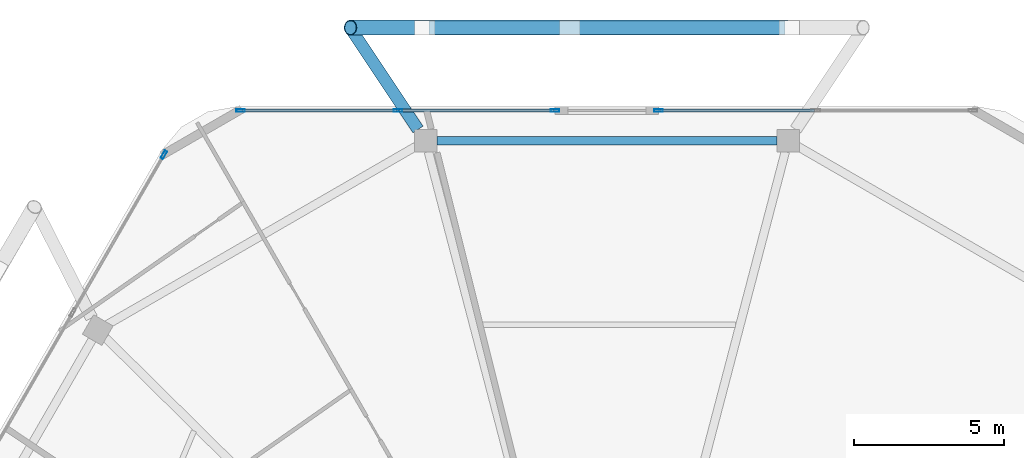
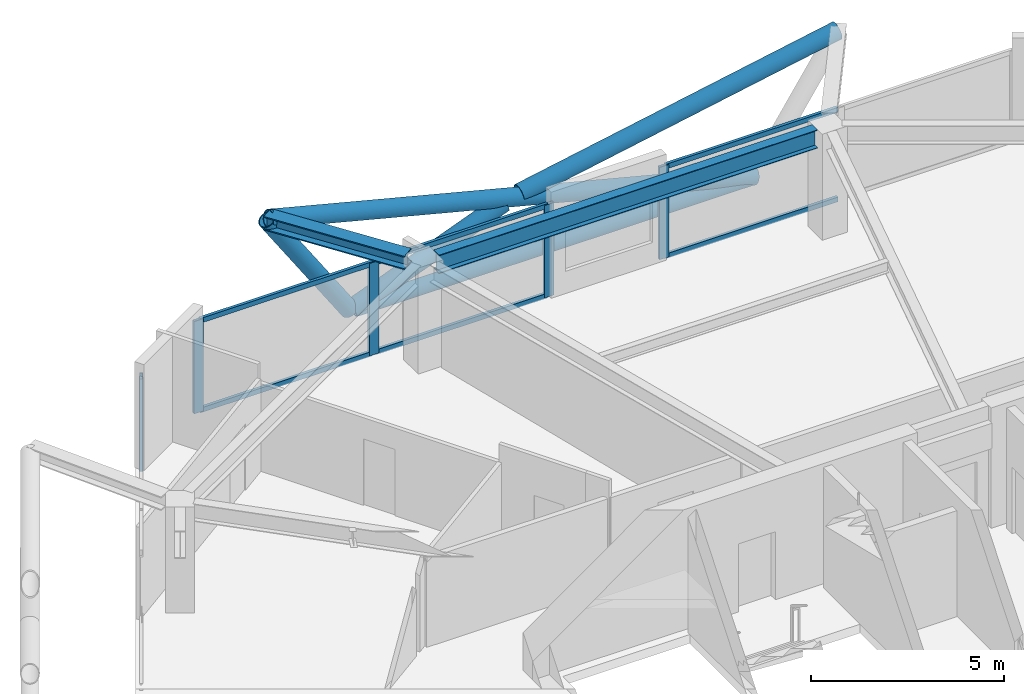
# One storey, part 12 of 23: 16 members, 2 beams, 3 elements without a shape of their own.
"""IFC4 building model written with IfcOpenShell, lengths in metres."""

from ifc_helpers import new_model, si_unit, direction, frame, origin, origin_2d, place, context, subcontext, project, spatial, hollow_rectangle, hollow_circle, i_section, extrude, material, material_profile, profile_set, type_object, element, aggregate, save


model = new_model("IFC4")

# Units and contexts
model_context = context("Model", 3, precision=1e-05, world=origin(), true_north=direction((0.0, 1.0)))
body_context = subcontext(model_context, "Body", "Model", "MODEL_VIEW")
ifc_project = project(units=[si_unit("LENGTHUNIT", "METRE"), si_unit("AREAUNIT", "SQUARE_METRE"), si_unit("VOLUMEUNIT", "CUBIC_METRE"), si_unit("PLANEANGLEUNIT", "RADIAN"), si_unit("MASSUNIT", "GRAM", prefix="KILO")], contexts=[model_context])

# Site, building, storey
site_placement = place(None, origin())
site = spatial("IfcSite", under=ifc_project, at=site_placement, CompositionType="ELEMENT")
building_placement = place(site_placement, origin())
building = spatial("IfcBuilding", under=site, at=building_placement, Name="Zuhravey Tower", CompositionType="ELEMENT")
storey_placement = place(building_placement, frame((0.0, 0.0, 353.800048828125)))
storey = spatial("IfcBuildingStorey", under=building, at=storey_placement, Name="L90", CompositionType="ELEMENT", Elevation=353.800048828125)

# Curtain wall, member
ifc_material_1 = material(Name="Thermally broken anodised aluminium", Category="aluminium")
curtain_wall_type = type_object("IfcCurtainWallType", Name="Zone 3-4 High-Rise Curtain Wall CW4", PredefinedType="NOTDEFINED", material=ifc_material_1)
curtain_wall_1_placement = place(storey_placement, origin())
curtain_wall_1 = element("IfcCurtainWall", 1, at=curtain_wall_1_placement, inside=storey, type_object=curtain_wall_type, Name="L90 CW4 CW-L90-F3-1", PredefinedType="NOTDEFINED")
ifc_material_2 = material(Name="Anodised aluminium", Category="aluminium")
ifc_material_profile_1 = material_profile(ifc_material_2, hollow_rectangle(XDim=0.090087890625, YDim=0.284912109375, WallThickness=0.0048828125, at=origin_2d()), Name="ALU-RHS-90x285x5")
ifc_profile_set_1 = profile_set([ifc_material_profile_1], Name="Anodised aluminium")
member_type_1 = type_object("IfcMemberType", Name="Curtain-Wall Mullion 90x180", PredefinedType="MULLION", material=ifc_profile_set_1)
member_1_placement = place(storey_placement, frame((21.248291015625, 54.59765625, 0.0), z_axis=(0.0, 0.0, 1.0), x_axis=(-0.866025511541, 0.49999981336, 0.0)))
member_1 = element("IfcMember", 2, at=member_1_placement, type_object=member_type_1, Name="CW4 mullion 5", PredefinedType="MULLION", context=body_context, shape_type="SweptSolid", body=[
    extrude(hollow_rectangle(XDim=0.090087890625, YDim=0.284912109375, WallThickness=0.0048828125, at=origin_2d()), origin(), (0.0, 0.0, 1.0), 2.921875),
])
aggregate(curtain_wall_1, [member_1])

# Curtain wall, members
curtain_wall_2_placement = place(storey_placement, origin())
curtain_wall_2 = element("IfcCurtainWall", 3, at=curtain_wall_2_placement, inside=storey, type_object=curtain_wall_type, Name="L90 CW4 CW-L90-F2-1", PredefinedType="NOTDEFINED")
member_2_placement = place(storey_placement, frame((23.8056640625, 56.07421875, 0.0), z_axis=(0.0, 0.0, 1.0), x_axis=(0.0, 1.0, 0.0)))
member_2 = element("IfcMember", 4, at=member_2_placement, type_object=member_type_1, Name="CW4 mullion 1", PredefinedType="MULLION", context=body_context, shape_type="SweptSolid", body=[
    extrude(hollow_rectangle(XDim=0.090087890625, YDim=0.284912109375, WallThickness=0.0048828125, at=origin_2d()), origin(), (0.0, 0.0, 1.0), 2.921875),
])
member_3_placement = place(storey_placement, frame((29.04296875, 56.07421875, 0.0), z_axis=(0.0, 0.0, 1.0), x_axis=(0.0, 1.0, 0.0)))
member_3 = element("IfcMember", 5, at=member_3_placement, type_object=member_type_1, Name="CW4 mullion 2", PredefinedType="MULLION", context=body_context, shape_type="SweptSolid", body=[
    extrude(hollow_rectangle(XDim=0.090087890625, YDim=0.284912109375, WallThickness=0.0048828125, at=origin_2d()), origin(), (0.0, 0.0, 1.0), 2.921875),
])
member_4_placement = place(storey_placement, frame((34.280029296875, 56.07421875, 0.0), z_axis=(0.0, 0.0, 1.0), x_axis=(0.0, 1.0, 0.0)))
member_4 = element("IfcMember", 6, at=member_4_placement, type_object=member_type_1, Name="CW4 mullion 3", PredefinedType="MULLION", context=body_context, shape_type="SweptSolid", body=[
    extrude(hollow_rectangle(XDim=0.090087890625, YDim=0.284912109375, WallThickness=0.0048828125, at=origin_2d()), origin(), (0.0, 0.0, 1.0), 2.921875),
])

# Curtain wall, member
curtain_wall_3_placement = place(storey_placement, origin())
curtain_wall_3 = element("IfcCurtainWall", 7, at=curtain_wall_3_placement, inside=storey, type_object=curtain_wall_type, Name="L90 CW4 CW-L90-F2-2", PredefinedType="NOTDEFINED")
member_5_placement = place(storey_placement, frame((37.719970703125, 56.07421875, 0.0), z_axis=(0.0, 0.0, 1.0), x_axis=(0.0, 1.0, 0.0)))
member_5 = element("IfcMember", 8, at=member_5_placement, type_object=member_type_1, Name="CW4 mullion 1", PredefinedType="MULLION", context=body_context, shape_type="SweptSolid", body=[
    extrude(hollow_rectangle(XDim=0.090087890625, YDim=0.284912109375, WallThickness=0.0048828125, at=origin_2d()), origin(), (0.0, 0.0, 1.0), 2.921875),
])

# Member
ifc_material_profile_2 = material_profile(ifc_material_2, hollow_rectangle(XDim=0.090087890625, YDim=0.14990234375, WallThickness=0.0048828125, at=origin_2d()), Name="ALU-RHS-90x150x5")
ifc_profile_set_2 = profile_set([ifc_material_profile_2], Name="Anodised aluminium")
member_type_2 = type_object("IfcMemberType", Name="Curtain-Wall Transom 90x150", PredefinedType="USERDEFINED", material=ifc_profile_set_2)
member_6_placement = place(storey_placement, frame((23.8505859375, 56.07421875, 0.044921875), z_axis=(1.0, 0.0, 0.0), x_axis=(0.0, 1.0, 0.0)))
member_6 = element("IfcMember", 9, at=member_6_placement, type_object=member_type_2, Name="CW4 transom 1.1", ObjectType="TRANSOM", PredefinedType="USERDEFINED", context=body_context, shape_type="SweptSolid", body=[
    extrude(hollow_rectangle(XDim=0.090087890625, YDim=0.14990234375, WallThickness=0.0048828125, at=origin_2d()), origin(), (0.0, 0.0, 1.0), 5.147216796875),
])

member_7_placement = place(storey_placement, frame((23.8505859375, 56.07421875, 2.876953125), z_axis=(1.0, 0.0, 0.0), x_axis=(0.0, 1.0, 0.0)))
member_7 = element("IfcMember", 10, at=member_7_placement, type_object=member_type_2, Name="CW4 transom 1.2", ObjectType="TRANSOM", PredefinedType="USERDEFINED", context=body_context, shape_type="SweptSolid", body=[
    extrude(hollow_rectangle(XDim=0.090087890625, YDim=0.14990234375, WallThickness=0.0048828125, at=origin_2d()), origin(), (0.0, 0.0, 1.0), 5.147216796875),
])

member_8_placement = place(storey_placement, frame((29.087890625, 56.07421875, 0.044921875), z_axis=(1.0, 0.0, 0.0), x_axis=(0.0, 1.0, 0.0)))
member_8 = element("IfcMember", 11, at=member_8_placement, type_object=member_type_2, Name="CW4 transom 2.1", ObjectType="TRANSOM", PredefinedType="USERDEFINED", context=body_context, shape_type="SweptSolid", body=[
    extrude(hollow_rectangle(XDim=0.090087890625, YDim=0.14990234375, WallThickness=0.0048828125, at=origin_2d()), origin(), (0.0, 0.0, 1.0), 5.147216796875),
])

member_9_placement = place(storey_placement, frame((29.087890625, 56.07421875, 2.876953125), z_axis=(1.0, 0.0, 0.0), x_axis=(0.0, 1.0, 0.0)))
member_9 = element("IfcMember", 12, at=member_9_placement, type_object=member_type_2, Name="CW4 transom 2.2", ObjectType="TRANSOM", PredefinedType="USERDEFINED", context=body_context, shape_type="SweptSolid", body=[
    extrude(hollow_rectangle(XDim=0.090087890625, YDim=0.14990234375, WallThickness=0.0048828125, at=origin_2d()), origin(), (0.0, 0.0, 1.0), 5.147216796875),
])

aggregate(curtain_wall_2, [member_2, member_3, member_4, member_6, member_7, member_8, member_9])

member_10_placement = place(storey_placement, frame((37.764892578125, 56.07421875, 0.044921875), z_axis=(1.0, 0.0, 0.0), x_axis=(0.0, 1.0, 0.0)))
member_10 = element("IfcMember", 13, at=member_10_placement, type_object=member_type_2, Name="CW4 transom 1.1", ObjectType="TRANSOM", PredefinedType="USERDEFINED", context=body_context, shape_type="SweptSolid", body=[
    extrude(hollow_rectangle(XDim=0.090087890625, YDim=0.14990234375, WallThickness=0.0048828125, at=origin_2d()), origin(), (0.0, 0.0, 1.0), 5.147216796875),
])

member_11_placement = place(storey_placement, frame((37.764892578125, 56.07421875, 2.876953125), z_axis=(1.0, 0.0, 0.0), x_axis=(0.0, 1.0, 0.0)))
member_11 = element("IfcMember", 14, at=member_11_placement, type_object=member_type_2, Name="CW4 transom 1.2", ObjectType="TRANSOM", PredefinedType="USERDEFINED", context=body_context, shape_type="SweptSolid", body=[
    extrude(hollow_rectangle(XDim=0.090087890625, YDim=0.14990234375, WallThickness=0.0048828125, at=origin_2d()), origin(), (0.0, 0.0, 1.0), 5.147216796875),
])

aggregate(curtain_wall_3, [member_5, member_10, member_11])

# Beam
ifc_material_3 = material(Name="Steel SM460", Category="steel")
ifc_material_profile_3 = material_profile(ifc_material_3, i_section(OverallWidth=0.406982421875, OverallDepth=0.427978515625, WebThickness=0.02001953125, FlangeThickness=0.034912109375, at=origin_2d()), Name="H-428x407x20x35")
ifc_profile_set_3 = profile_set([ifc_material_profile_3], Name="Steel SM460")
beam_type_1 = type_object("IfcBeamType", Name="Exoskeleton Node Tie Beam H428x407", PredefinedType="BEAM", material=ifc_profile_set_3)
beam_1_placement = place(storey_placement, frame((29.709228515625, 55.4423828125, 3.135986328125), z_axis=(-0.554311580134, 0.832309240685, 0.0), x_axis=(-0.832309240685, -0.554311580134, 0.0)))
element("IfcBeam", 15, at=beam_1_placement, inside=storey, type_object=beam_type_1, Name="L90 Exoskeleton Node Tie NT1-04", PredefinedType="BEAM", context=body_context, shape_type="SweptSolid", body=[
    extrude(i_section(OverallWidth=0.406982421875, OverallDepth=0.427978515625, WebThickness=0.02001953125, FlangeThickness=0.034912109375, at=origin_2d()), origin(), (0.0, 0.0, 1.0), 4.06005859375),
])

# Members
ifc_material_4 = material(Name="Steel SM355", Category="steel")
ifc_material_profile_4 = material_profile(ifc_material_4, hollow_circle(Radius=0.228515625, WallThickness=0.02197265625, at=origin_2d()), Name="CHS-457.2x22")
ifc_profile_set_4 = profile_set([ifc_material_profile_4], Name="Steel SM355")
member_type_3 = type_object("IfcMemberType", Name="Exoskeleton Ring Tie CHS457x22", PredefinedType="CHORD", material=ifc_profile_set_4)
member_12_placement = place(storey_placement, frame((41.927490234375, 58.833984375, -0.59912109375), z_axis=(-1.0, 0.0, 0.0), x_axis=(0.0, -1.0, 0.0)))
element("IfcMember", 16, at=member_12_placement, inside=storey, type_object=member_type_3, Name="L90 Exoskeleton Face 2 Tie EXR1", PredefinedType="CHORD", context=body_context, shape_type="SweptSolid", body=[
    extrude(hollow_circle(Radius=0.228515625, WallThickness=0.02197265625, at=origin_2d()), origin(), (0.0, 0.0, 1.0), 11.85498046875),
])
ifc_material_profile_5 = material_profile(ifc_material_4, hollow_circle(Radius=0.25390625, WallThickness=0.02490234375, at=origin_2d()), Name="CHS-508.0x25")
ifc_profile_set_5 = profile_set([ifc_material_profile_5], Name="Steel SM355")
member_type_4 = type_object("IfcMemberType", Name="Exoskeleton Zone 4 Diagrid CHS508x25", PredefinedType="BRACE", material=ifc_profile_set_5)
member_13_placement = place(storey_placement, frame((42.015625, 58.833984375, -0.5859375), z_axis=(-0.968866738935, 0.0, 0.247582798647), x_axis=(0.0, -1.0, 0.0)))
element("IfcMember", 17, at=member_13_placement, inside=storey, type_object=member_type_4, Name="L90 Face 2 Diagrid Brace 2", PredefinedType="BRACE", context=body_context, shape_type="SweptSolid", body=[
    extrude(hollow_circle(Radius=0.25390625, WallThickness=0.02490234375, at=origin_2d()), origin(), (0.0, 0.0, 1.0), 14.979736328125),
])
member_14_placement = place(storey_placement, frame((29.921875, 58.833984375, -0.5830078125), z_axis=(-0.553470379521, 0.0, 0.832868860621), x_axis=(0.0, -1.0, 0.0)))
element("IfcMember", 18, at=member_14_placement, inside=storey, type_object=member_type_4, Name="L90 Face 2 Diagrid Brace 4", PredefinedType="BRACE", context=body_context, shape_type="SweptSolid", body=[
    extrude(hollow_circle(Radius=0.25390625, WallThickness=0.02490234375, at=origin_2d()), origin(), (0.0, 0.0, 1.0), 4.446044921875),
])
member_15_placement = place(storey_placement, frame((29.982421875, 58.833984375, -0.579833984375), z_axis=(0.93260831697, 0.0, 0.360890187063), x_axis=(0.0, 1.0, 0.0)))
element("IfcMember", 19, at=member_15_placement, inside=storey, type_object=member_type_4, Name="L90 Face 2 Split Diagrid Brace 3A", PredefinedType="BRACE", context=body_context, shape_type="SweptSolid", body=[
    extrude(hollow_circle(Radius=0.25390625, WallThickness=0.02490234375, at=origin_2d()), origin(), (0.0, 0.0, 1.0), 4.87744140625),
])
member_16_placement = place(storey_placement, frame((34.99853515625, 58.833984375, 1.314208984375), z_axis=(0.982290579931, 0.0, 0.187363861452), x_axis=(0.0, 1.0, 0.0)))
element("IfcMember", 20, at=member_16_placement, inside=storey, type_object=member_type_4, Name="L90 Face 2 Split Diagrid Brace 3B", PredefinedType="BRACE", context=body_context, shape_type="SweptSolid", body=[
    extrude(hollow_circle(Radius=0.25390625, WallThickness=0.02490234375, at=origin_2d()), origin(), (0.0, 0.0, 1.0), 9.669677734375),
])

# Beam
ifc_material_profile_6 = material_profile(ifc_material_4, i_section(OverallWidth=0.280029296875, OverallDepth=0.580078125, WebThickness=0.011962890625, FlangeThickness=0.01904296875, at=origin_2d()), Name="H-580x280x12x19")
ifc_profile_set_6 = profile_set([ifc_material_profile_6], Name="Steel SM355")
beam_type_2 = type_object("IfcBeamType", Name="Perimeter Ring Beam H580x280", PredefinedType="BEAM", material=ifc_profile_set_6)
beam_2_placement = place(storey_placement, frame((41.66064453125, 55.064208984375, 3.06005859375), z_axis=(-1.0, 0.0, 0.0), x_axis=(0.0, -1.0, 0.0)))
element("IfcBeam", 21, at=beam_2_placement, inside=storey, type_object=beam_type_2, Name="L90 PB4 BM-L90-PB-03", PredefinedType="BEAM", context=body_context, shape_type="SweptSolid", body=[
    extrude(i_section(OverallWidth=0.280029296875, OverallDepth=0.580078125, WebThickness=0.011962890625, FlangeThickness=0.01904296875, at=origin_2d()), origin(), (0.0, 0.0, 1.0), 11.3212890625),
])

save(model, "model.ifc")
